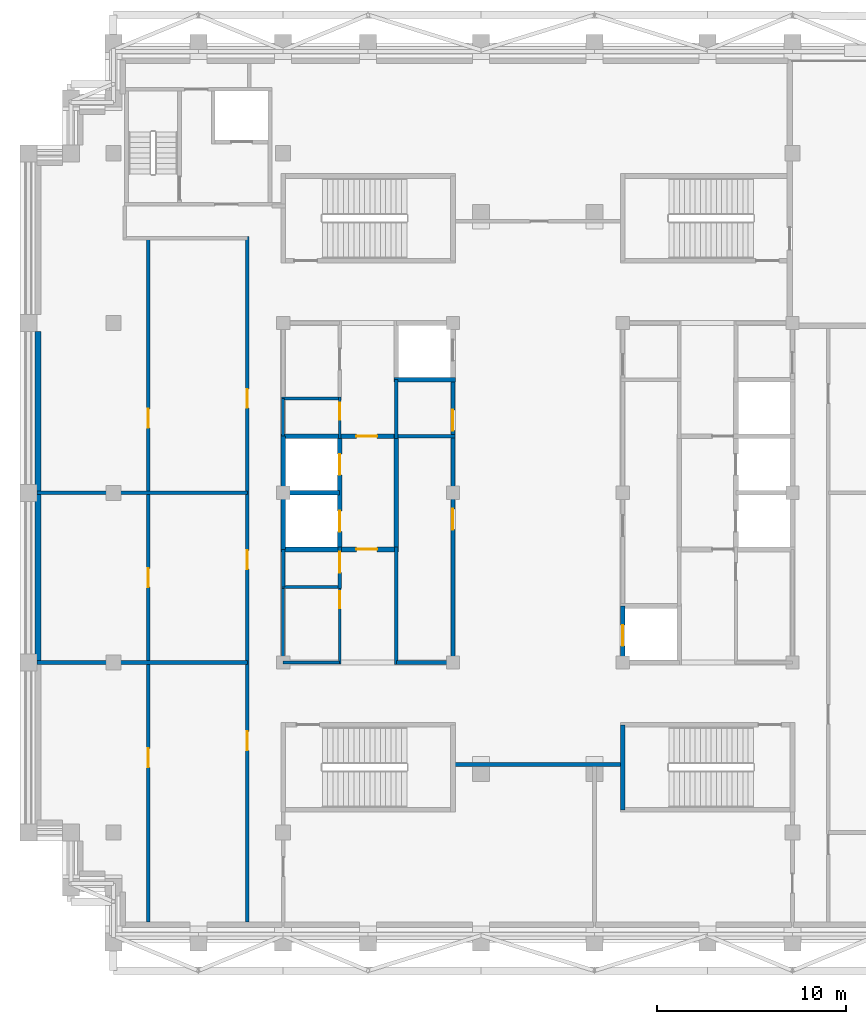
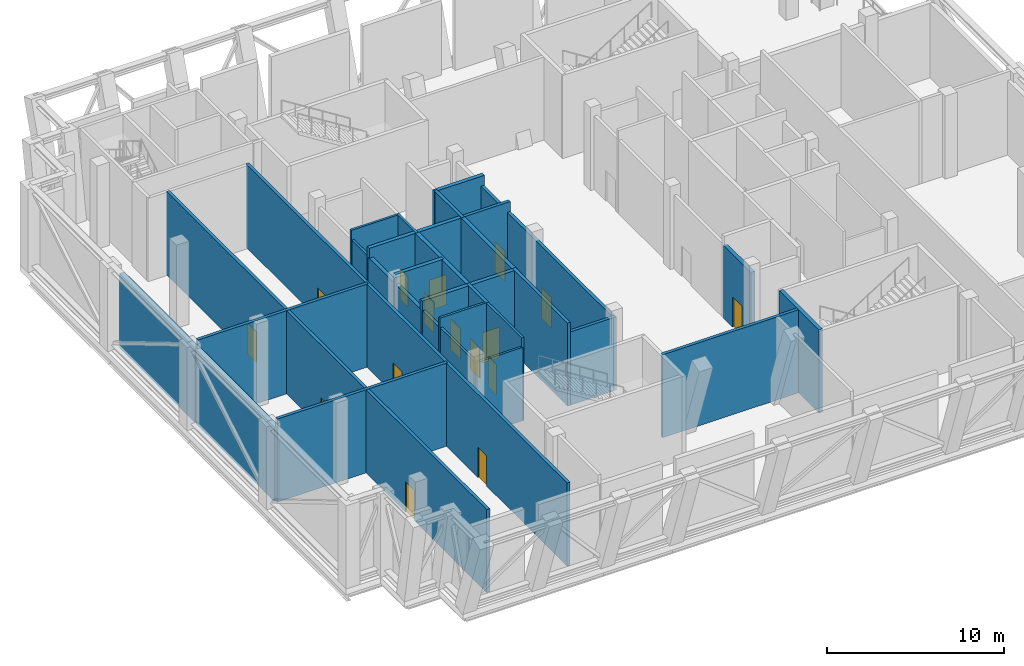
# One storey, part 4 of 9: 30 walls, 16 doors, 16 openings.
"""IFC4 building model written with IfcOpenShell, lengths in metres."""

from ifc_helpers import new_model, si_unit, direction, frame, frame_2d, origin, place, context, subcontext, project, spatial, rectangle, extrude, material, layer, layer_set, type_object, element, fill, save


model = new_model("IFC4")

# Units and contexts
model_context = context("Model", 3, precision=1e-05, world=origin(), true_north=direction((0.0, 1.0)))
body_context = subcontext(model_context, "Body", "Model", "MODEL_VIEW")
ifc_project = project(units=[si_unit("LENGTHUNIT", "METRE"), si_unit("AREAUNIT", "SQUARE_METRE"), si_unit("VOLUMEUNIT", "CUBIC_METRE"), si_unit("PLANEANGLEUNIT", "RADIAN"), si_unit("MASSUNIT", "GRAM", prefix="KILO")], contexts=[model_context])

# Site, building, storey
site_placement = place(None, origin())
site = spatial("IfcSite", under=ifc_project, at=site_placement, CompositionType="ELEMENT")
building_placement = place(site_placement, origin())
building = spatial("IfcBuilding", under=site, at=building_placement, Name="Corbelhall Arena Tower", CompositionType="ELEMENT")
storey_placement = place(building_placement, frame((0.0, 0.0, 320.0)))
storey = spatial("IfcBuildingStorey", under=building, at=storey_placement, Name="L70", CompositionType="ELEMENT", Elevation=320.0)

# Walls
ifc_material_1 = material(Name="Precast concrete C40/50 with granite facing", Category="masonry")
ifc_layer_1 = layer(ifc_material_1, 0.300048828125)
ifc_layer_set_1 = layer_set([ifc_layer_1], Name="EV-IW1 Infill panel 300")
wall_type_1 = type_object("IfcWallType", Name="EV-IW1 Infill panel 300", PredefinedType="SOLIDWALL", material=ifc_layer_set_1)
wall_1_placement = place(storey_placement, frame((-26.5, 8.550048828125, 0.0), z_axis=(0.0, 0.0, 1.0), x_axis=(0.0, -1.0, 0.0)))
element("IfcWall", 1, at=wall_1_placement, inside=storey, type_object=wall_type_1, Name="Infill panel IW1", PredefinedType="SOLIDWALL", context=body_context, shape_type="SweptSolid", body=[
    extrude(rectangle(XDim=8.5, YDim=0.300048828125, at=frame_2d((4.25, 0.0))), origin(), (0.0, 0.0, 1.0), 5.139892578125),
])
wall_2_placement = place(storey_placement, frame((-26.5, -0.050048828125, 0.0), z_axis=(0.0, 0.0, 1.0), x_axis=(0.0, -1.0, 0.0)))
element("IfcWall", 2, at=wall_2_placement, inside=storey, type_object=wall_type_1, Name="Infill panel IW1", PredefinedType="SOLIDWALL", context=body_context, shape_type="SweptSolid", body=[
    extrude(rectangle(XDim=8.89990234375, YDim=0.300048828125, at=frame_2d((4.449951171875, 0.0))), origin(), (0.0, 0.0, 1.0), 5.139892578125),
])
ifc_material_2 = material(Name="Gypsum board on steel stud, acoustic", Category="steel")
ifc_layer_2 = layer(ifc_material_2, 0.199951171875)
ifc_layer_set_2 = layer_set([ifc_layer_2], Name="IN-W-DM200")
wall_type_2 = type_object("IfcWallType", Name="IN-W-DM200", PredefinedType="PARTITIONING", material=ifc_layer_set_2)
wall_3_placement = place(storey_placement, frame((-26.550048828125, -9.0, 0.0), z_axis=(0.0, 0.0, 1.0), x_axis=(1.0, 0.0, 0.0)))
element("IfcWall", 3, at=wall_3_placement, inside=storey, type_object=wall_type_2, Name="Partition 001", PredefinedType="PARTITIONING", context=body_context, shape_type="SweptSolid", body=[
    extrude(rectangle(XDim=11.150146484375, YDim=0.199951171875, at=frame_2d((5.5751953125, 0.0))), origin(), (0.0, 0.0, 1.0), 5.739990234375),
])

# Wall, openings, doors
wall_4_placement = place(storey_placement, frame((-20.64990234375, -22.75, 0.0), z_axis=(0.0, 0.0, 1.0), x_axis=(0.0, 1.0, 0.0)))
wall_4 = element("IfcWall", 4, at=wall_4_placement, inside=storey, type_object=wall_type_2, Name="Partition 004", PredefinedType="PARTITIONING", context=body_context, shape_type="SweptSolid", body=[
    extrude(rectangle(XDim=36.25, YDim=0.199951171875, at=frame_2d((18.125, 0.0))), origin(), (0.0, 0.0, 1.0), 5.739990234375),
])
opening_1_placement = place(wall_4_placement, frame((26.199951171875, 0.0, 0.0)))
opening_1 = element("IfcOpeningElement", 5, at=opening_1_placement, cuts=wall_4, Name="Opening 30022", PredefinedType="OPENING", context=body_context, shape_type="SweptSolid", body=[
    extrude(rectangle(XDim=1.0, YDim=2.10009765625, at=frame_2d((0.5, 1.050048828125))), frame((0.0, 0.10009765625, 0.0), z_axis=(0.0, -1.0, 0.0), x_axis=(1.0, 0.0, 0.0)), (0.0, 0.0, 1.0), 0.199951171875),
])
opening_2_placement = place(wall_4_placement, frame((8.199951171875, 0.0, 0.0)))
opening_2 = element("IfcOpeningElement", 6, at=opening_2_placement, cuts=wall_4, Name="Opening 30024", PredefinedType="OPENING", context=body_context, shape_type="SweptSolid", body=[
    extrude(rectangle(XDim=1.0, YDim=2.10009765625, at=frame_2d((0.5, 1.050048828125))), frame((0.0, 0.10009765625, 0.0), z_axis=(0.0, -1.0, 0.0), x_axis=(1.0, 0.0, 0.0)), (0.0, 0.0, 1.0), 0.199951171875),
])
opening_3_placement = place(wall_4_placement, frame((17.75, 0.0, 0.0)))
opening_3 = element("IfcOpeningElement", 7, at=opening_3_placement, cuts=wall_4, Name="Opening 30026", PredefinedType="OPENING", context=body_context, shape_type="SweptSolid", body=[
    extrude(rectangle(XDim=1.0, YDim=2.10009765625, at=frame_2d((0.5, 1.050048828125))), frame((0.0, 0.10009765625, 0.0), z_axis=(0.0, -1.0, 0.0), x_axis=(1.0, 0.0, 0.0)), (0.0, 0.0, 1.0), 0.199951171875),
])
ifc_material_3 = material(Name="Steel door set", Category="steel")
door_type_1 = type_object("IfcDoorType", Name="IN-D-SW100", OperationType="NOTDEFINED", PredefinedType="DOOR", material=ifc_material_3)
door_1_placement = place(opening_1_placement, origin())
door_1 = element("IfcDoor", 8, at=door_1_placement, inside=storey, type_object=door_type_1, Name="Door 022", OperationType="SINGLE_SWING_LEFT", OverallHeight=2.10009765625, OverallWidth=1.0, PredefinedType="DOOR", context=body_context, shape_type="SweptSolid", body=[
    extrude(rectangle(XDim=1.0, YDim=2.10009765625, at=frame_2d((0.5, 1.050048828125))), frame((0.0, 0.02490234375, 0.0), z_axis=(0.0, -1.0, 0.0), x_axis=(1.0, 0.0, 0.0)), (0.0, 0.0, 1.0), 0.050048828125),
])
fill(opening_1, door_1)
door_2_placement = place(opening_2_placement, origin())
door_2 = element("IfcDoor", 9, at=door_2_placement, inside=storey, type_object=door_type_1, Name="Door 024", OperationType="SINGLE_SWING_LEFT", OverallHeight=2.10009765625, OverallWidth=1.0, PredefinedType="DOOR", context=body_context, shape_type="SweptSolid", body=[
    extrude(rectangle(XDim=1.0, YDim=2.10009765625, at=frame_2d((0.5, 1.050048828125))), frame((0.0, 0.02490234375, 0.0), z_axis=(0.0, -1.0, 0.0), x_axis=(1.0, 0.0, 0.0)), (0.0, 0.0, 1.0), 0.050048828125),
])
fill(opening_2, door_2)
door_3_placement = place(opening_3_placement, origin())
door_3 = element("IfcDoor", 10, at=door_3_placement, inside=storey, type_object=door_type_1, Name="Door 026", OperationType="SINGLE_SWING_LEFT", OverallHeight=2.10009765625, OverallWidth=1.0, PredefinedType="DOOR", context=body_context, shape_type="SweptSolid", body=[
    extrude(rectangle(XDim=1.0, YDim=2.10009765625, at=frame_2d((0.5, 1.050048828125))), frame((0.0, 0.02490234375, 0.0), z_axis=(0.0, -1.0, 0.0), x_axis=(1.0, 0.0, 0.0)), (0.0, 0.0, 1.0), 0.050048828125),
])
fill(opening_3, door_3)

# Wall
wall_5_placement = place(storey_placement, frame((-15.39990234375, 0.0, 0.0), z_axis=(0.0, 0.0, 1.0), x_axis=(-1.0, 0.0, 0.0)))
element("IfcWall", 11, at=wall_5_placement, inside=storey, type_object=wall_type_2, Name="Partition 005", PredefinedType="PARTITIONING", context=body_context, shape_type="SweptSolid", body=[
    extrude(rectangle(XDim=11.150146484375, YDim=0.199951171875, at=frame_2d((5.5751953125, 0.0))), origin(), (0.0, 0.0, 1.0), 5.739990234375),
])

# Wall, openings, doors
wall_6_placement = place(storey_placement, frame((-15.39990234375, -22.75, 0.0), z_axis=(0.0, 0.0, 1.0), x_axis=(0.0, 1.0, 0.0)))
wall_6 = element("IfcWall", 12, at=wall_6_placement, inside=storey, type_object=wall_type_2, Name="Partition 007", PredefinedType="PARTITIONING", context=body_context, shape_type="SweptSolid", body=[
    extrude(rectangle(XDim=36.35009765625, YDim=0.199951171875, at=frame_2d((18.175048828125, 0.0))), origin(), (0.0, 0.0, 1.0), 5.739990234375),
])
opening_4_placement = place(wall_6_placement, frame((27.25, 0.0, 0.0)))
opening_4 = element("IfcOpeningElement", 13, at=opening_4_placement, cuts=wall_6, Name="Opening 30021", PredefinedType="OPENING", context=body_context, shape_type="SweptSolid", body=[
    extrude(rectangle(XDim=1.0, YDim=2.10009765625, at=frame_2d((0.5, 1.050048828125))), frame((0.0, 0.10009765625, 0.0), z_axis=(0.0, -1.0, 0.0), x_axis=(1.0, 0.0, 0.0)), (0.0, 0.0, 1.0), 0.199951171875),
])
opening_5_placement = place(wall_6_placement, frame((9.10009765625, 0.0, 0.0)))
opening_5 = element("IfcOpeningElement", 14, at=opening_5_placement, cuts=wall_6, Name="Opening 30023", PredefinedType="OPENING", context=body_context, shape_type="SweptSolid", body=[
    extrude(rectangle(XDim=1.0, YDim=2.10009765625, at=frame_2d((0.5, 1.050048828125))), frame((0.0, 0.10009765625, 0.0), z_axis=(0.0, -1.0, 0.0), x_axis=(1.0, 0.0, 0.0)), (0.0, 0.0, 1.0), 0.199951171875),
])
opening_6_placement = place(wall_6_placement, frame((18.699951171875, 0.0, 0.0)))
opening_6 = element("IfcOpeningElement", 15, at=opening_6_placement, cuts=wall_6, Name="Opening 30025", PredefinedType="OPENING", context=body_context, shape_type="SweptSolid", body=[
    extrude(rectangle(XDim=1.0, YDim=2.10009765625, at=frame_2d((0.5, 1.050048828125))), frame((0.0, 0.10009765625, 0.0), z_axis=(0.0, -1.0, 0.0), x_axis=(1.0, 0.0, 0.0)), (0.0, 0.0, 1.0), 0.199951171875),
])
door_4_placement = place(opening_4_placement, origin())
door_4 = element("IfcDoor", 16, at=door_4_placement, inside=storey, type_object=door_type_1, Name="Door 021", OperationType="SINGLE_SWING_RIGHT", OverallHeight=2.10009765625, OverallWidth=1.0, PredefinedType="DOOR", context=body_context, shape_type="SweptSolid", body=[
    extrude(rectangle(XDim=1.0, YDim=2.10009765625, at=frame_2d((0.5, 1.050048828125))), frame((0.0, 0.02490234375, 0.0), z_axis=(0.0, -1.0, 0.0), x_axis=(1.0, 0.0, 0.0)), (0.0, 0.0, 1.0), 0.050048828125),
])
fill(opening_4, door_4)
door_5_placement = place(opening_5_placement, origin())
door_5 = element("IfcDoor", 17, at=door_5_placement, inside=storey, type_object=door_type_1, Name="Door 023", OperationType="SINGLE_SWING_RIGHT", OverallHeight=2.10009765625, OverallWidth=1.0, PredefinedType="DOOR", context=body_context, shape_type="SweptSolid", body=[
    extrude(rectangle(XDim=1.0, YDim=2.10009765625, at=frame_2d((0.5, 1.050048828125))), frame((0.0, 0.02490234375, 0.0), z_axis=(0.0, -1.0, 0.0), x_axis=(1.0, 0.0, 0.0)), (0.0, 0.0, 1.0), 0.050048828125),
])
fill(opening_5, door_5)
door_6_placement = place(opening_6_placement, origin())
door_6 = element("IfcDoor", 18, at=door_6_placement, inside=storey, type_object=door_type_1, Name="Door 025", OperationType="SINGLE_SWING_RIGHT", OverallHeight=2.10009765625, OverallWidth=1.0, PredefinedType="DOOR", context=body_context, shape_type="SweptSolid", body=[
    extrude(rectangle(XDim=1.0, YDim=2.10009765625, at=frame_2d((0.5, 1.050048828125))), frame((0.0, 0.02490234375, 0.0), z_axis=(0.0, -1.0, 0.0), x_axis=(1.0, 0.0, 0.0)), (0.0, 0.0, 1.0), 0.050048828125),
])
fill(opening_6, door_6)

# Wall
wall_7_placement = place(storey_placement, frame((4.5, -14.39990234375, 0.0), z_axis=(0.0, 0.0, 1.0), x_axis=(-1.0, 0.0, 0.0)))
element("IfcWall", 19, at=wall_7_placement, inside=storey, type_object=wall_type_2, Name="Partition 012", PredefinedType="PARTITIONING", context=body_context, shape_type="SweptSolid", body=[
    extrude(rectangle(XDim=9.0, YDim=0.199951171875, at=frame_2d((4.5, 0.0))), origin(), (0.0, 0.0, 1.0), 5.739990234375),
])

# Wall, opening, door
ifc_material_4 = material(Name="Concrete block wall", Category="concrete")
ifc_layer_3 = layer(ifc_material_4, 0.199951171875)
ifc_layer_set_3 = layer_set([ifc_layer_3], Name="IN-W-RS200")
wall_type_3 = type_object("IfcWallType", Name="IN-W-RS200", PredefinedType="SOLIDWALL", material=ifc_layer_set_3)
wall_8_placement = place(storey_placement, frame((-10.5, -5.074951171875, 0.0), z_axis=(0.0, 0.0, 1.0), x_axis=(0.0, 1.0, 0.0)))
wall_8 = element("IfcWall", 20, at=wall_8_placement, inside=storey, type_object=wall_type_3, Name="Partition 022", PredefinedType="SOLIDWALL", context=body_context, shape_type="SweptSolid", body=[
    extrude(rectangle(XDim=2.199951171875, YDim=0.199951171875, at=frame_2d((1.10009765625, 0.0))), origin(), (0.0, 0.0, 1.0), 5.739990234375),
])
opening_7_placement = place(wall_8_placement, frame((0.85009765625, 0.0, 0.0)))
opening_7 = element("IfcOpeningElement", 21, at=opening_7_placement, cuts=wall_8, Name="Opening 30006", PredefinedType="OPENING", context=body_context, shape_type="SweptSolid", body=[
    extrude(rectangle(XDim=1.10009765625, YDim=2.10009765625, at=frame_2d((0.550048828125, 1.050048828125))), frame((0.0, 0.10009765625, 0.0), z_axis=(0.0, -1.0, 0.0), x_axis=(1.0, 0.0, 0.0)), (0.0, 0.0, 1.0), 0.199951171875),
])
door_type_2 = type_object("IfcDoorType", Name="IN-D-FD110", OperationType="NOTDEFINED", PredefinedType="DOOR", material=ifc_material_3)
door_7_placement = place(opening_7_placement, origin())
door_7 = element("IfcDoor", 22, at=door_7_placement, inside=storey, type_object=door_type_2, Name="Door 006", OperationType="SINGLE_SWING_LEFT", OverallHeight=2.10009765625, OverallWidth=1.10009765625, PredefinedType="DOOR", context=body_context, shape_type="SweptSolid", body=[
    extrude(rectangle(XDim=1.10009765625, YDim=2.10009765625, at=frame_2d((0.550048828125, 1.050048828125))), frame((0.0, 0.02490234375, 0.0), z_axis=(0.0, -1.0, 0.0), x_axis=(1.0, 0.0, 0.0)), (0.0, 0.0, 1.0), 0.050048828125),
])
fill(opening_7, door_7)

# Walls
wall_9_placement = place(storey_placement, frame((-7.625, 3.0, 0.0), z_axis=(0.0, 0.0, 1.0), x_axis=(1.0, 0.0, 0.0)))
element("IfcWall", 23, at=wall_9_placement, inside=storey, type_object=wall_type_3, Name="Partition 024", PredefinedType="SOLIDWALL", context=body_context, shape_type="SweptSolid", body=[
    extrude(rectangle(XDim=3.22509765625, YDim=0.199951171875, at=frame_2d((1.612548828125, 0.0))), origin(), (0.0, 0.0, 1.0), 5.739990234375),
])
wall_10_placement = place(storey_placement, frame((-7.5, -9.10009765625, 0.0), z_axis=(0.0, 0.0, 1.0), x_axis=(0.0, 1.0, 0.0)))
element("IfcWall", 24, at=wall_10_placement, inside=storey, type_object=wall_type_3, Name="Partition 025", PredefinedType="SOLIDWALL", context=body_context, shape_type="SweptSolid", body=[
    extrude(rectangle(XDim=6.22509765625, YDim=0.199951171875, at=frame_2d((3.112548828125, 0.0))), origin(), (0.0, 0.0, 1.0), 5.739990234375),
])
wall_11_placement = place(storey_placement, frame((-7.5, 2.875, 0.0), z_axis=(0.0, 0.0, 1.0), x_axis=(0.0, 1.0, 0.0)))
element("IfcWall", 25, at=wall_11_placement, inside=storey, type_object=wall_type_3, Name="Partition 026", PredefinedType="SOLIDWALL", context=body_context, shape_type="SweptSolid", body=[
    extrude(rectangle(XDim=3.125, YDim=0.199951171875, at=frame_2d((1.5625, 0.0))), origin(), (0.0, 0.0, 1.0), 5.739990234375),
])
ifc_layer_4 = layer(ifc_material_4, 0.199951171875)
ifc_layer_set_4 = layer_set([ifc_layer_4], Name="IN-W-RS200 under beam 678 mm")
wall_type_4 = type_object("IfcWallType", Name="IN-W-RS200 under beam 678 mm", PredefinedType="SOLIDWALL", material=ifc_layer_set_4)
wall_12_placement = place(storey_placement, frame((-13.5, -5.0, 0.0), z_axis=(0.0, 0.0, 1.0), x_axis=(0.0, 1.0, 0.0)))
element("IfcWall", 26, at=wall_12_placement, inside=storey, type_object=wall_type_4, Name="Partition 019", PredefinedType="SOLIDWALL", context=body_context, shape_type="SweptSolid", body=[
    extrude(rectangle(XDim=2.0, YDim=0.199951171875, at=frame_2d((1.0, 0.0))), origin(), (0.0, 0.0, 1.0), 5.061767578125),
])
wall_13_placement = place(storey_placement, frame((-4.5, -9.0, 0.0), z_axis=(0.0, 0.0, 1.0), x_axis=(-1.0, 0.0, 0.0)))
element("IfcWall", 27, at=wall_13_placement, inside=storey, type_object=wall_type_4, Name="Partition 027", PredefinedType="SOLIDWALL", context=body_context, shape_type="SweptSolid", body=[
    extrude(rectangle(XDim=3.0, YDim=0.199951171875, at=frame_2d((1.5, 0.0))), origin(), (0.0, 0.0, 1.0), 5.061767578125),
])

# Wall, openings, doors
wall_14_placement = place(storey_placement, frame((-4.5, 6.0, 0.0), z_axis=(0.0, 0.0, 1.0), x_axis=(0.0, -1.0, 0.0)))
wall_14 = element("IfcWall", 28, at=wall_14_placement, inside=storey, type_object=wall_type_4, Name="Partition 028", PredefinedType="SOLIDWALL", context=body_context, shape_type="SweptSolid", body=[
    extrude(rectangle(XDim=15.10009765625, YDim=0.199951171875, at=frame_2d((7.550048828125, 0.0))), origin(), (0.0, 0.0, 1.0), 5.061767578125),
])
opening_8_placement = place(wall_14_placement, frame((6.85009765625, 0.0, 0.0)))
opening_8 = element("IfcOpeningElement", 29, at=opening_8_placement, cuts=wall_14, Name="Opening 30001", PredefinedType="OPENING", context=body_context, shape_type="SweptSolid", body=[
    extrude(rectangle(XDim=1.10009765625, YDim=2.10009765625, at=frame_2d((0.550048828125, 1.050048828125))), frame((0.0, 0.10009765625, 0.0), z_axis=(0.0, -1.0, 0.0), x_axis=(1.0, 0.0, 0.0)), (0.0, 0.0, 1.0), 0.199951171875),
])
opening_9_placement = place(wall_14_placement, frame((1.60009765625, 0.0, 0.0)))
opening_9 = element("IfcOpeningElement", 30, at=opening_9_placement, cuts=wall_14, Name="Opening 30002", PredefinedType="OPENING", context=body_context, shape_type="SweptSolid", body=[
    extrude(rectangle(XDim=1.10009765625, YDim=2.10009765625, at=frame_2d((0.550048828125, 1.050048828125))), frame((0.0, 0.10009765625, 0.0), z_axis=(0.0, -1.0, 0.0), x_axis=(1.0, 0.0, 0.0)), (0.0, 0.0, 1.0), 0.199951171875),
])
door_8_placement = place(opening_8_placement, origin())
door_8 = element("IfcDoor", 31, at=door_8_placement, inside=storey, type_object=door_type_2, Name="Door 001", OperationType="SINGLE_SWING_RIGHT", OverallHeight=2.10009765625, OverallWidth=1.10009765625, PredefinedType="DOOR", context=body_context, shape_type="SweptSolid", body=[
    extrude(rectangle(XDim=1.10009765625, YDim=2.10009765625, at=frame_2d((0.550048828125, 1.050048828125))), frame((0.0, 0.02490234375, 0.0), z_axis=(0.0, -1.0, 0.0), x_axis=(1.0, 0.0, 0.0)), (0.0, 0.0, 1.0), 0.050048828125),
])
fill(opening_8, door_8)
door_9_placement = place(opening_9_placement, origin())
door_9 = element("IfcDoor", 32, at=door_9_placement, inside=storey, type_object=door_type_2, Name="Door 002", OperationType="SINGLE_SWING_LEFT", OverallHeight=2.10009765625, OverallWidth=1.10009765625, PredefinedType="DOOR", context=body_context, shape_type="SweptSolid", body=[
    extrude(rectangle(XDim=1.10009765625, YDim=2.10009765625, at=frame_2d((0.550048828125, 1.050048828125))), frame((0.0, 0.02490234375, 0.0), z_axis=(0.0, -1.0, 0.0), x_axis=(1.0, 0.0, 0.0)), (0.0, 0.0, 1.0), 0.050048828125),
])
fill(opening_9, door_9)

# Wall
ifc_material_5 = material(Name="Concrete C40/50", Category="concrete")
ifc_layer_5 = layer(ifc_material_5, 0.25)
ifc_layer_set_5 = layer_set([ifc_layer_5], Name="IN-W-SH250")
wall_type_5 = type_object("IfcWallType", Name="IN-W-SH250", PredefinedType="SOLIDWALL", material=ifc_layer_set_5)
wall_15_placement = place(storey_placement, frame((-13.625, 0.0, 0.0), z_axis=(0.0, 0.0, 1.0), x_axis=(1.0, 0.0, 0.0)))
element("IfcWall", 33, at=wall_15_placement, inside=storey, type_object=wall_type_5, Name="Shaft wall 037", PredefinedType="SOLIDWALL", context=body_context, shape_type="SweptSolid", body=[
    extrude(rectangle(XDim=3.125, YDim=0.25, at=frame_2d((1.5625, 0.0))), origin(), (0.0, 0.0, 1.0), 5.739990234375),
])

# Wall, opening, door
wall_16_placement = place(storey_placement, frame((-13.625, 3.0, 0.0), z_axis=(0.0, 0.0, 1.0), x_axis=(1.0, 0.0, 0.0)))
wall_16 = element("IfcWall", 34, at=wall_16_placement, inside=storey, type_object=wall_type_5, Name="Shaft wall 038", PredefinedType="SOLIDWALL", context=body_context, shape_type="SweptSolid", body=[
    extrude(rectangle(XDim=6.125, YDim=0.25, at=frame_2d((3.0625, 0.0))), origin(), (0.0, 0.0, 1.0), 5.739990234375),
])
opening_10_placement = place(wall_16_placement, frame((4.0, 0.0, 0.0)))
opening_10 = element("IfcOpeningElement", 35, at=opening_10_placement, cuts=wall_16, Name="Opening 30004", PredefinedType="OPENING", context=body_context, shape_type="SweptSolid", body=[
    extrude(rectangle(XDim=1.10009765625, YDim=2.10009765625, at=frame_2d((0.550048828125, 1.050048828125))), frame((0.0, 0.125, 0.0), z_axis=(0.0, -1.0, 0.0), x_axis=(1.0, 0.0, 0.0)), (0.0, 0.0, 1.0), 0.25),
])
door_10_placement = place(opening_10_placement, origin())
door_10 = element("IfcDoor", 36, at=door_10_placement, inside=storey, type_object=door_type_2, Name="Door 004", OperationType="SINGLE_SWING_LEFT", OverallHeight=2.10009765625, OverallWidth=1.10009765625, PredefinedType="DOOR", context=body_context, shape_type="SweptSolid", body=[
    extrude(rectangle(XDim=1.10009765625, YDim=2.10009765625, at=frame_2d((0.550048828125, 1.050048828125))), frame((0.0, 0.02490234375, 0.0), z_axis=(0.0, -1.0, 0.0), x_axis=(1.0, 0.0, 0.0)), (0.0, 0.0, 1.0), 0.050048828125),
])
fill(opening_10, door_10)

wall_17_placement = place(storey_placement, frame((-13.625, -3.0, 0.0), z_axis=(0.0, 0.0, 1.0), x_axis=(1.0, 0.0, 0.0)))
wall_17 = element("IfcWall", 37, at=wall_17_placement, inside=storey, type_object=wall_type_5, Name="Shaft wall 040", PredefinedType="SOLIDWALL", context=body_context, shape_type="SweptSolid", body=[
    extrude(rectangle(XDim=6.125, YDim=0.25, at=frame_2d((3.0625, 0.0))), origin(), (0.0, 0.0, 1.0), 5.739990234375),
])
opening_11_placement = place(wall_17_placement, frame((4.0, 0.0, 0.0)))
opening_11 = element("IfcOpeningElement", 38, at=opening_11_placement, cuts=wall_17, Name="Opening 30003", PredefinedType="OPENING", context=body_context, shape_type="SweptSolid", body=[
    extrude(rectangle(XDim=1.10009765625, YDim=2.10009765625, at=frame_2d((0.550048828125, 1.050048828125))), frame((0.0, 0.125, 0.0), z_axis=(0.0, -1.0, 0.0), x_axis=(1.0, 0.0, 0.0)), (0.0, 0.0, 1.0), 0.25),
])
door_11_placement = place(opening_11_placement, origin())
door_11 = element("IfcDoor", 39, at=door_11_placement, inside=storey, type_object=door_type_2, Name="Door 003", OperationType="SINGLE_SWING_RIGHT", OverallHeight=2.10009765625, OverallWidth=1.10009765625, PredefinedType="DOOR", context=body_context, shape_type="SweptSolid", body=[
    extrude(rectangle(XDim=1.10009765625, YDim=2.10009765625, at=frame_2d((0.550048828125, 1.050048828125))), frame((0.0, 0.02490234375, 0.0), z_axis=(0.0, -1.0, 0.0), x_axis=(1.0, 0.0, 0.0)), (0.0, 0.0, 1.0), 0.050048828125),
])
fill(opening_11, door_11)

# Wall, openings, doors
wall_18_placement = place(storey_placement, frame((-10.5, -3.125, 0.0), z_axis=(0.0, 0.0, 1.0), x_axis=(0.0, 1.0, 0.0)))
wall_18 = element("IfcWall", 40, at=wall_18_placement, inside=storey, type_object=wall_type_5, Name="Shaft wall 041", PredefinedType="SOLIDWALL", context=body_context, shape_type="SweptSolid", body=[
    extrude(rectangle(XDim=6.25, YDim=0.25, at=frame_2d((3.125, 0.0))), origin(), (0.0, 0.0, 1.0), 5.739990234375),
])
opening_12_placement = place(wall_18_placement, frame((1.074951171875, 0.0, 0.0)))
opening_12 = element("IfcOpeningElement", 41, at=opening_12_placement, cuts=wall_18, Name="Opening LD", PredefinedType="OPENING", context=body_context, shape_type="SweptSolid", body=[
    extrude(rectangle(XDim=1.10009765625, YDim=2.10009765625, at=frame_2d((0.550048828125, 1.050048828125))), frame((0.0, 0.125, 0.0), z_axis=(0.0, -1.0, 0.0), x_axis=(1.0, 0.0, 0.0)), (0.0, 0.0, 1.0), 0.25),
])
opening_13_placement = place(wall_18_placement, frame((4.074951171875, 0.0, 0.0)))
opening_13 = element("IfcOpeningElement", 42, at=opening_13_placement, cuts=wall_18, Name="Opening LD", PredefinedType="OPENING", context=body_context, shape_type="SweptSolid", body=[
    extrude(rectangle(XDim=1.10009765625, YDim=2.10009765625, at=frame_2d((0.550048828125, 1.050048828125))), frame((0.0, 0.125, 0.0), z_axis=(0.0, -1.0, 0.0), x_axis=(1.0, 0.0, 0.0)), (0.0, 0.0, 1.0), 0.25),
])
door_type_3 = type_object("IfcDoorType", Name="IN-D-LD110", OperationType="NOTDEFINED", PredefinedType="DOOR", material=ifc_material_3)
door_12_placement = place(opening_12_placement, origin())
door_12 = element("IfcDoor", 43, at=door_12_placement, inside=storey, type_object=door_type_3, Name="Landing door W3", OperationType="SLIDING_TO_LEFT", OverallHeight=2.10009765625, OverallWidth=1.10009765625, PredefinedType="DOOR", context=body_context, shape_type="SweptSolid", body=[
    extrude(rectangle(XDim=1.10009765625, YDim=2.10009765625, at=frame_2d((0.550048828125, 1.050048828125))), frame((0.0, 0.02490234375, 0.0), z_axis=(0.0, -1.0, 0.0), x_axis=(1.0, 0.0, 0.0)), (0.0, 0.0, 1.0), 0.050048828125),
])
fill(opening_12, door_12)
door_13_placement = place(opening_13_placement, origin())
door_13 = element("IfcDoor", 44, at=door_13_placement, inside=storey, type_object=door_type_3, Name="Landing door W4", OperationType="SLIDING_TO_LEFT", OverallHeight=2.10009765625, OverallWidth=1.10009765625, PredefinedType="DOOR", context=body_context, shape_type="SweptSolid", body=[
    extrude(rectangle(XDim=1.10009765625, YDim=2.10009765625, at=frame_2d((0.550048828125, 1.050048828125))), frame((0.0, 0.02490234375, 0.0), z_axis=(0.0, -1.0, 0.0), x_axis=(1.0, 0.0, 0.0)), (0.0, 0.0, 1.0), 0.050048828125),
])
fill(opening_13, door_13)

# Walls
wall_19_placement = place(storey_placement, frame((-7.625, 6.0, 0.0), z_axis=(0.0, 0.0, 1.0), x_axis=(1.0, 0.0, 0.0)))
element("IfcWall", 45, at=wall_19_placement, inside=storey, type_object=wall_type_5, Name="Shaft wall 042", PredefinedType="SOLIDWALL", context=body_context, shape_type="SweptSolid", body=[
    extrude(rectangle(XDim=3.25, YDim=0.25, at=frame_2d((1.625, 0.0))), origin(), (0.0, 0.0, 1.0), 5.739990234375),
])
wall_20_placement = place(storey_placement, frame((-7.5, -3.125, 0.0), z_axis=(0.0, 0.0, 1.0), x_axis=(0.0, 1.0, 0.0)))
element("IfcWall", 46, at=wall_20_placement, inside=storey, type_object=wall_type_5, Name="Shaft wall 043", PredefinedType="SOLIDWALL", context=body_context, shape_type="SweptSolid", body=[
    extrude(rectangle(XDim=6.25, YDim=0.25, at=frame_2d((3.125, 0.0))), origin(), (0.0, 0.0, 1.0), 5.739990234375),
])
ifc_layer_6 = layer(ifc_material_5, 0.25)
ifc_layer_set_6 = layer_set([ifc_layer_6], Name="IN-W-SH250 under beam 678 mm")
wall_type_6 = type_object("IfcWallType", Name="IN-W-SH250 under beam 678 mm", PredefinedType="SOLIDWALL", material=ifc_layer_set_6)
wall_21_placement = place(storey_placement, frame((-13.5, -3.0, 0.0), z_axis=(0.0, 0.0, 1.0), x_axis=(0.0, 1.0, 0.0)))
element("IfcWall", 47, at=wall_21_placement, inside=storey, type_object=wall_type_6, Name="Shaft wall 039", PredefinedType="SOLIDWALL", context=body_context, shape_type="SweptSolid", body=[
    extrude(rectangle(XDim=6.0, YDim=0.25, at=frame_2d((3.0, 0.0))), origin(), (0.0, 0.0, 1.0), 5.061767578125),
])

# Wall, opening, door
wall_22_placement = place(storey_placement, frame((4.5, -9.125, 0.0), z_axis=(0.0, 0.0, 1.0), x_axis=(0.0, 1.0, 0.0)))
wall_22 = element("IfcWall", 48, at=wall_22_placement, inside=storey, type_object=wall_type_6, Name="Shaft wall 048", PredefinedType="SOLIDWALL", context=body_context, shape_type="SweptSolid", body=[
    extrude(rectangle(XDim=3.125, YDim=0.25, at=frame_2d((1.5625, 0.0))), origin(), (0.0, 0.0, 1.0), 5.061767578125),
])
opening_14_placement = place(wall_22_placement, frame((1.012451171875, 0.0, 0.0)))
opening_14 = element("IfcOpeningElement", 49, at=opening_14_placement, cuts=wall_22, Name="Opening LD", PredefinedType="OPENING", context=body_context, shape_type="SweptSolid", body=[
    extrude(rectangle(XDim=1.10009765625, YDim=2.10009765625, at=frame_2d((0.550048828125, 1.050048828125))), frame((0.0, 0.125, 0.0), z_axis=(0.0, -1.0, 0.0), x_axis=(1.0, 0.0, 0.0)), (0.0, 0.0, 1.0), 0.25),
])
door_14_placement = place(opening_14_placement, origin())
door_14 = element("IfcDoor", 50, at=door_14_placement, inside=storey, type_object=door_type_3, Name="Landing door E1", OperationType="SLIDING_TO_LEFT", OverallHeight=2.10009765625, OverallWidth=1.10009765625, PredefinedType="DOOR", context=body_context, shape_type="SweptSolid", body=[
    extrude(rectangle(XDim=1.10009765625, YDim=2.10009765625, at=frame_2d((0.550048828125, 1.050048828125))), frame((0.0, 0.02490234375, 0.0), z_axis=(0.0, -1.0, 0.0), x_axis=(1.0, 0.0, 0.0)), (0.0, 0.0, 1.0), 0.050048828125),
])
fill(opening_14, door_14)

# Walls
ifc_layer_7 = layer(ifc_material_5, 0.25)
ifc_layer_set_7 = layer_set([ifc_layer_7], Name="IN-W-ST250")
wall_type_7 = type_object("IfcWallType", Name="IN-W-ST250", PredefinedType="SOLIDWALL", material=ifc_layer_set_7)
wall_23_placement = place(storey_placement, frame((4.5, -16.800048828125, 0.0), z_axis=(0.0, 0.0, 1.0), x_axis=(0.0, 1.0, 0.0)))
element("IfcWall", 51, at=wall_23_placement, inside=storey, type_object=wall_type_7, Name="Shaft wall 067", PredefinedType="SOLIDWALL", context=body_context, shape_type="SweptSolid", body=[
    extrude(rectangle(XDim=4.5, YDim=0.25, at=frame_2d((2.25, 0.0))), origin(), (0.0, 0.0, 1.0), 5.739990234375),
])
ifc_material_6 = material(Name="Gypsum board on steel stud, moisture resistant", Category="steel")
ifc_layer_8 = layer(ifc_material_6, 0.14990234375)
ifc_layer_set_8 = layer_set([ifc_layer_8], Name="IN-W-WC150")
wall_type_8 = type_object("IfcWallType", Name="IN-W-WC150", PredefinedType="PARTITIONING", material=ifc_layer_set_8)
for number, where, z_axis, x_axis, name in (
    (52, (-13.60009765625, -5.0, 0.0), (0.0, 0.0, 1.0), (1.0, 0.0, 0.0), "Partition 073"),
    (53, (-13.60009765625, 5.0, 0.0), (0.0, 0.0, 1.0), (1.0, 0.0, 0.0), "Partition 074"),
):
    element("IfcWall", number, at=place(storey_placement, frame(where, z_axis=z_axis, x_axis=x_axis)), inside=storey, type_object=wall_type_8, Name=name, PredefinedType="PARTITIONING", context=body_context, shape_type="SweptSolid", body=[
        extrude(rectangle(XDim=3.10009765625, YDim=0.14990234375, at=frame_2d((1.550048828125, 0.0))), origin(), (0.0, 0.0, 1.0), 5.739990234375),
    ])

# Wall, opening, door
wall_24_placement = place(storey_placement, frame((-10.5, -9.074951171875, 0.0), z_axis=(0.0, 0.0, 1.0), x_axis=(0.0, 1.0, 0.0)))
wall_24 = element("IfcWall", 54, at=wall_24_placement, inside=storey, type_object=wall_type_8, Name="Partition 077", PredefinedType="PARTITIONING", context=body_context, shape_type="SweptSolid", body=[
    extrude(rectangle(XDim=4.14990234375, YDim=0.14990234375, at=frame_2d((2.074951171875, 0.0))), origin(), (0.0, 0.0, 1.0), 5.739990234375),
])
opening_15_placement = place(wall_24_placement, frame((2.949951171875, 0.0, 0.0)))
opening_15 = element("IfcOpeningElement", 55, at=opening_15_placement, cuts=wall_24, Name="Opening 30005", PredefinedType="OPENING", context=body_context, shape_type="SweptSolid", body=[
    extrude(rectangle(XDim=0.89990234375, YDim=2.10009765625, at=frame_2d((0.449951171875, 1.050048828125))), frame((0.0, 0.074951171875, 0.0), z_axis=(0.0, -1.0, 0.0), x_axis=(1.0, 0.0, 0.0)), (0.0, 0.0, 1.0), 0.14990234375),
])
ifc_material_7 = material(Name="Timber door set", Category="wood")
door_type_4 = type_object("IfcDoorType", Name="IN-D-SW90", OperationType="NOTDEFINED", PredefinedType="DOOR", material=ifc_material_7)
door_15_placement = place(opening_15_placement, origin())
door_15 = element("IfcDoor", 56, at=door_15_placement, inside=storey, type_object=door_type_4, Name="Door 005", OperationType="SINGLE_SWING_RIGHT", OverallHeight=2.10009765625, OverallWidth=0.89990234375, PredefinedType="DOOR", context=body_context, shape_type="SweptSolid", body=[
    extrude(rectangle(XDim=0.89990234375, YDim=2.10009765625, at=frame_2d((0.449951171875, 1.050048828125))), frame((0.0, 0.02490234375, 0.0), z_axis=(0.0, -1.0, 0.0), x_axis=(1.0, 0.0, 0.0)), (0.0, 0.0, 1.0), 0.050048828125),
])
fill(opening_15, door_15)

wall_25_placement = place(storey_placement, frame((-10.5, 2.875, 0.0), z_axis=(0.0, 0.0, 1.0), x_axis=(0.0, 1.0, 0.0)))
wall_25 = element("IfcWall", 57, at=wall_25_placement, inside=storey, type_object=wall_type_8, Name="Partition 079", PredefinedType="PARTITIONING", context=body_context, shape_type="SweptSolid", body=[
    extrude(rectangle(XDim=2.199951171875, YDim=0.14990234375, at=frame_2d((1.10009765625, 0.0))), origin(), (0.0, 0.0, 1.0), 5.739990234375),
])
opening_16_placement = place(wall_25_placement, frame((1.0, 0.0, 0.0)))
opening_16 = element("IfcOpeningElement", 58, at=opening_16_placement, cuts=wall_25, Name="Opening 30007", PredefinedType="OPENING", context=body_context, shape_type="SweptSolid", body=[
    extrude(rectangle(XDim=0.89990234375, YDim=2.10009765625, at=frame_2d((0.449951171875, 1.050048828125))), frame((0.0, 0.074951171875, 0.0), z_axis=(0.0, -1.0, 0.0), x_axis=(1.0, 0.0, 0.0)), (0.0, 0.0, 1.0), 0.14990234375),
])
door_16_placement = place(opening_16_placement, origin())
door_16 = element("IfcDoor", 59, at=door_16_placement, inside=storey, type_object=door_type_4, Name="Door 007", OperationType="SINGLE_SWING_RIGHT", OverallHeight=2.10009765625, OverallWidth=0.89990234375, PredefinedType="DOOR", context=body_context, shape_type="SweptSolid", body=[
    extrude(rectangle(XDim=0.89990234375, YDim=2.10009765625, at=frame_2d((0.449951171875, 1.050048828125))), frame((0.0, 0.02490234375, 0.0), z_axis=(0.0, -1.0, 0.0), x_axis=(1.0, 0.0, 0.0)), (0.0, 0.0, 1.0), 0.050048828125),
])
fill(opening_16, door_16)

# Walls
ifc_layer_9 = layer(ifc_material_6, 0.14990234375)
ifc_layer_set_9 = layer_set([ifc_layer_9], Name="IN-W-WC150 under beam 678 mm")
wall_type_9 = type_object("IfcWallType", Name="IN-W-WC150 under beam 678 mm", PredefinedType="PARTITIONING", material=ifc_layer_set_9)
wall_26_placement = place(storey_placement, frame((-13.5, -9.074951171875, 0.0), z_axis=(0.0, 0.0, 1.0), x_axis=(0.0, 1.0, 0.0)))
element("IfcWall", 60, at=wall_26_placement, inside=storey, type_object=wall_type_9, Name="Partition 075", PredefinedType="PARTITIONING", context=body_context, shape_type="SweptSolid", body=[
    extrude(rectangle(XDim=4.074951171875, YDim=0.14990234375, at=frame_2d((2.03759765625, 0.0))), origin(), (0.0, 0.0, 1.0), 5.061767578125),
])
wall_27_placement = place(storey_placement, frame((-13.5, 3.0, 0.0), z_axis=(0.0, 0.0, 1.0), x_axis=(0.0, 1.0, 0.0)))
element("IfcWall", 61, at=wall_27_placement, inside=storey, type_object=wall_type_9, Name="Partition 076", PredefinedType="PARTITIONING", context=body_context, shape_type="SweptSolid", body=[
    extrude(rectangle(XDim=2.0, YDim=0.14990234375, at=frame_2d((1.0, 0.0))), origin(), (0.0, 0.0, 1.0), 5.061767578125),
])
wall_28_placement = place(storey_placement, frame((-10.5, -9.0, 0.0), z_axis=(0.0, 0.0, 1.0), x_axis=(-1.0, 0.0, 0.0)))
element("IfcWall", 62, at=wall_28_placement, inside=storey, type_object=wall_type_9, Name="Partition 078", PredefinedType="PARTITIONING", context=body_context, shape_type="SweptSolid", body=[
    extrude(rectangle(XDim=3.0, YDim=0.14990234375, at=frame_2d((1.5, 0.0))), origin(), (0.0, 0.0, 1.0), 5.061767578125),
])

save(model, "model.ifc")
